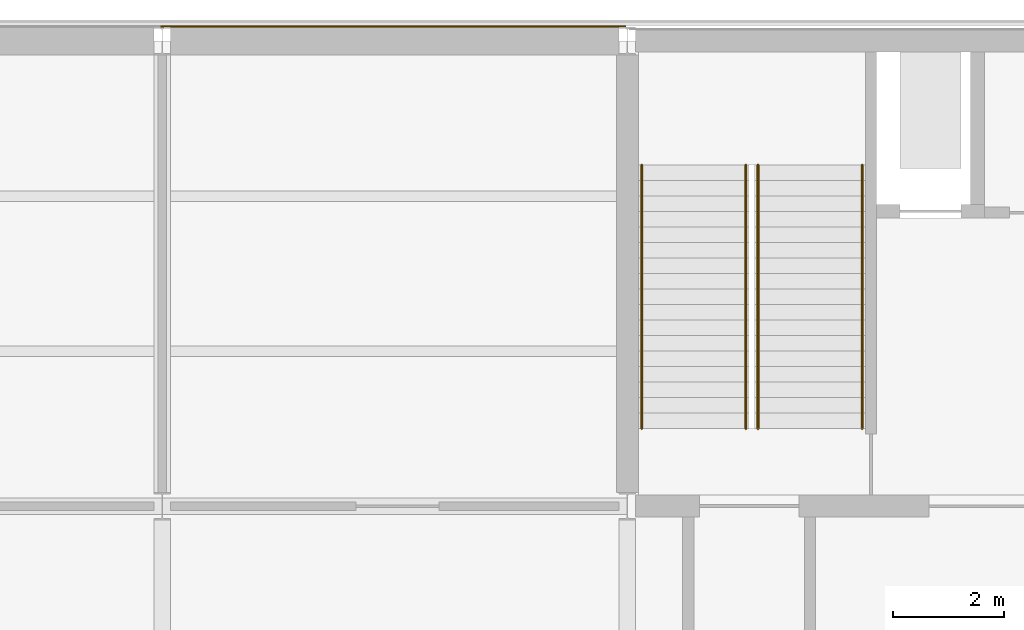
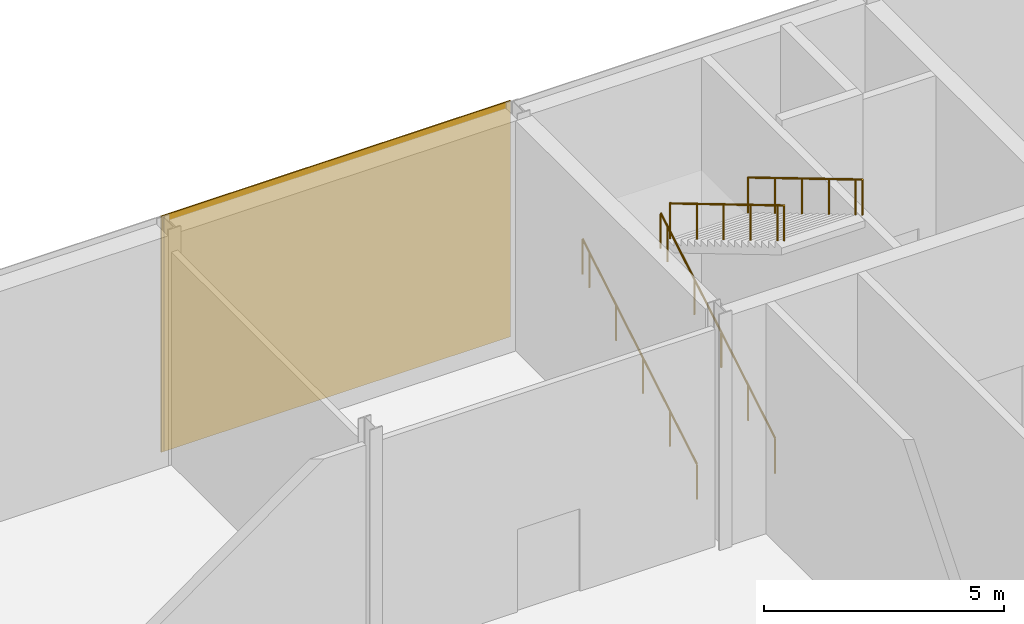
# One storey, part 45 of 55: 4 railings, 2 coverings.
"""IFC4 building model written with IfcOpenShell, lengths in metres."""

from ifc_helpers import new_model, si_unit, direction, frame, origin, origin_2d, place, context, subcontext, project, spatial, rectangle, circle, extrude, material, layer, layer_set, type_object, element, save


model = new_model("IFC4")

# Units and contexts
model_context = context("Model", 3, precision=1e-05, world=origin(), true_north=direction((0.0, 1.0)))
body_context = subcontext(model_context, "Body", "Model", "MODEL_VIEW")
ifc_project = project(units=[si_unit("LENGTHUNIT", "METRE"), si_unit("AREAUNIT", "SQUARE_METRE"), si_unit("VOLUMEUNIT", "CUBIC_METRE"), si_unit("PLANEANGLEUNIT", "RADIAN"), si_unit("MASSUNIT", "GRAM", prefix="KILO")], contexts=[model_context])

# Site, building, storey
site_placement = place(None, origin())
site = spatial("IfcSite", under=ifc_project, at=site_placement, CompositionType="ELEMENT")
building_placement = place(site_placement, origin())
building = spatial("IfcBuilding", under=site, at=building_placement, Name="Galleria Vessillo Department Store", CompositionType="ELEMENT")
storey_placement = place(building_placement, origin())
storey = spatial("IfcBuildingStorey", under=building, at=storey_placement, Name="L00", CompositionType="ELEMENT", Elevation=0.0)

# Coverings
ifc_material_1 = material(Name="Lime plaster (intonaco) ochre")
ifc_layer = layer(ifc_material_1, 0.030029296875)
ifc_layer_set = layer_set([ifc_layer], Name="Lime plaster (intonaco) ochre")
covering_type = type_object("IfcCoveringType", Name="Lime plaster render 30 mm", PredefinedType="CLADDING", material=ifc_layer_set)
covering_1_placement = place(storey_placement, frame((29.39990234375, 63.264892578125, 0.0), z_axis=(0.0, 0.0, 1.0), x_axis=(1.0, 0.0, 0.0)))
element("IfcCovering", 1, at=covering_1_placement, inside=storey, type_object=covering_type, Name="Wall cladding S-PN-L00-03", PredefinedType="CLADDING", context=body_context, shape_type="SweptSolid", body=[
    extrude(rectangle(XDim=8.34033203125, YDim=0.030029296875, at=origin_2d()), origin(), (0.0, 0.0, 1.0), 6.0),
])
covering_2_placement = place(storey_placement, frame((25.199951171875, 63.264892578125, 0.0), z_axis=(0.0, 0.0, 1.0), x_axis=(1.0, 0.0, 0.0)))
element("IfcCovering", 2, at=covering_2_placement, inside=storey, type_object=covering_type, Name="Joint block Wall cladding S-PN-L00-02", PredefinedType="CLADDING", context=body_context, shape_type="SweptSolid", body=[
    extrude(rectangle(XDim=0.059814453125, YDim=0.030029296875, at=origin_2d()), origin(), (0.0, 0.0, 1.0), 6.0),
])

# Railings
ifc_material_2 = material(Name="Stainless steel tube", Category="steel")
railing_type = type_object("IfcRailingType", Name="Stair handrail steel tube 48 mm", PredefinedType="HANDRAIL", material=ifc_material_2)
railing_1_placement = place(storey_placement, frame((33.860107421875, 56.0, 0.166748046875)))
element("IfcRailing", 3, at=railing_1_placement, inside=storey, type_object=railing_type, Name="Handrail ST4 L00 flight 1A", PredefinedType="HANDRAIL", context=body_context, shape_type="SweptSolid", body=[
    extrude(circle(Radius=0.02392578125, at=origin_2d()), frame((0.0, 0.0, 0.89599609375), z_axis=(0.0, 0.859371278866, 0.511352134112), x_axis=(-1.0, 0.0, 0.0)), (0.0, 0.0, 1.0), 1.303466796875),
    extrude(circle(Radius=0.02392578125, at=origin_2d()), frame((0.0, 1.1201171875, 1.5625), z_axis=(0.0, 0.859239953289, 0.511572773584), x_axis=(-1.0, 0.0, 0.0)), (0.0, 0.0, 1.0), 1.30322265625),
    extrude(circle(Radius=0.02392578125, at=origin_2d()), frame((0.0, 2.239990234375, 2.22900390625), z_axis=(0.0, 0.859288964532, 0.511490445104), x_axis=(-1.0, 0.0, 0.0)), (0.0, 0.0, 1.0), 1.303466796875),
    extrude(circle(Radius=0.02392578125, at=origin_2d()), frame((0.0, 3.360107421875, 2.89599609375), z_axis=(0.0, 0.85932228943, 0.511434456103), x_axis=(-1.0, 0.0, 0.0)), (0.0, 0.0, 1.0), 1.30322265625),
    extrude(circle(Radius=0.02392578125, at=origin_2d()), frame((0.0, 4.47998046875, 3.5625), z_axis=(0.0, 0.859206643714, 0.511628716353), x_axis=(-1.0, 0.0, 0.0)), (0.0, 0.0, 1.0), 0.325927734375),
    extrude(circle(Radius=0.02099609375, at=origin_2d()), origin(), (0.0, 0.0, 1.0), 0.871826171875),
    extrude(circle(Radius=0.02099609375, at=origin_2d()), frame((0.0, 1.1201171875, 0.66650390625)), (0.0, 0.0, 1.0), 0.871826171875),
    extrude(circle(Radius=0.02099609375, at=origin_2d()), frame((0.0, 2.239990234375, 1.333251953125)), (0.0, 0.0, 1.0), 0.871826171875),
    extrude(circle(Radius=0.02099609375, at=origin_2d()), frame((0.0, 3.360107421875, 2.0)), (0.0, 0.0, 1.0), 0.871826171875),
    extrude(circle(Radius=0.02099609375, at=origin_2d()), frame((0.0, 4.47998046875, 2.66650390625)), (0.0, 0.0, 1.0), 0.871826171875),
    extrude(circle(Radius=0.02099609375, at=origin_2d()), frame((0.0, 4.760009765625, 2.833251953125)), (0.0, 0.0, 1.0), 0.871826171875),
])
railing_2_placement = place(storey_placement, frame((35.739990234375, 56.0, 0.166748046875)))
element("IfcRailing", 4, at=railing_2_placement, inside=storey, type_object=railing_type, Name="Handrail ST4 L00 flight 1B", PredefinedType="HANDRAIL", context=body_context, shape_type="SweptSolid", body=[
    extrude(circle(Radius=0.02392578125, at=origin_2d()), frame((0.0, 0.0, 0.89599609375), z_axis=(0.0, 0.859371278866, 0.511352134112), x_axis=(-1.0, 0.0, 0.0)), (0.0, 0.0, 1.0), 1.303466796875),
    extrude(circle(Radius=0.02392578125, at=origin_2d()), frame((0.0, 1.1201171875, 1.5625), z_axis=(0.0, 0.859239953289, 0.511572773584), x_axis=(-1.0, 0.0, 0.0)), (0.0, 0.0, 1.0), 1.30322265625),
    extrude(circle(Radius=0.02392578125, at=origin_2d()), frame((0.0, 2.239990234375, 2.22900390625), z_axis=(0.0, 0.859288964532, 0.511490445104), x_axis=(-1.0, 0.0, 0.0)), (0.0, 0.0, 1.0), 1.303466796875),
    extrude(circle(Radius=0.02392578125, at=origin_2d()), frame((0.0, 3.360107421875, 2.89599609375), z_axis=(0.0, 0.85932228943, 0.511434456103), x_axis=(-1.0, 0.0, 0.0)), (0.0, 0.0, 1.0), 1.30322265625),
    extrude(circle(Radius=0.02392578125, at=origin_2d()), frame((0.0, 4.47998046875, 3.5625), z_axis=(0.0, 0.859206643714, 0.511628716353), x_axis=(-1.0, 0.0, 0.0)), (0.0, 0.0, 1.0), 0.325927734375),
    extrude(circle(Radius=0.02099609375, at=origin_2d()), origin(), (0.0, 0.0, 1.0), 0.871826171875),
    extrude(circle(Radius=0.02099609375, at=origin_2d()), frame((0.0, 1.1201171875, 0.66650390625)), (0.0, 0.0, 1.0), 0.871826171875),
    extrude(circle(Radius=0.02099609375, at=origin_2d()), frame((0.0, 2.239990234375, 1.333251953125)), (0.0, 0.0, 1.0), 0.871826171875),
    extrude(circle(Radius=0.02099609375, at=origin_2d()), frame((0.0, 3.360107421875, 2.0)), (0.0, 0.0, 1.0), 0.871826171875),
    extrude(circle(Radius=0.02099609375, at=origin_2d()), frame((0.0, 4.47998046875, 2.66650390625)), (0.0, 0.0, 1.0), 0.871826171875),
    extrude(circle(Radius=0.02099609375, at=origin_2d()), frame((0.0, 4.760009765625, 2.833251953125)), (0.0, 0.0, 1.0), 0.871826171875),
])
railing_3_placement = place(storey_placement, frame((37.83984375, 60.760009765625, 3.166748046875)))
element("IfcRailing", 5, at=railing_3_placement, inside=storey, type_object=railing_type, Name="Handrail ST4 L00 flight 2A", PredefinedType="HANDRAIL", context=body_context, shape_type="SweptSolid", body=[
    extrude(circle(Radius=0.02392578125, at=origin_2d()), frame((0.0, 0.0, 0.89599609375), z_axis=(0.0, -0.859371278866, 0.511352134112), x_axis=(1.0, 0.0, 0.0)), (0.0, 0.0, 1.0), 1.303466796875),
    extrude(circle(Radius=0.02392578125, at=origin_2d()), frame((0.0, -1.1201171875, 1.5625), z_axis=(0.0, -0.859239953289, 0.511572773584), x_axis=(1.0, 0.0, 0.0)), (0.0, 0.0, 1.0), 1.30322265625),
    extrude(circle(Radius=0.02392578125, at=origin_2d()), frame((0.0, -2.239990234375, 2.22900390625), z_axis=(0.0, -0.859288964532, 0.511490445104), x_axis=(1.0, 0.0, 0.0)), (0.0, 0.0, 1.0), 1.303466796875),
    extrude(circle(Radius=0.02392578125, at=origin_2d()), frame((0.0, -3.360107421875, 2.89599609375), z_axis=(0.0, -0.85932228943, 0.511434456103), x_axis=(1.0, 0.0, 0.0)), (0.0, 0.0, 1.0), 1.30322265625),
    extrude(circle(Radius=0.02392578125, at=origin_2d()), frame((0.0, -4.47998046875, 3.5625), z_axis=(0.0, -0.859206643714, 0.511628716353), x_axis=(1.0, 0.0, 0.0)), (0.0, 0.0, 1.0), 0.325927734375),
    extrude(circle(Radius=0.02099609375, at=origin_2d()), origin(), (0.0, 0.0, 1.0), 0.871826171875),
    extrude(circle(Radius=0.02099609375, at=origin_2d()), frame((0.0, -1.1201171875, 0.66650390625)), (0.0, 0.0, 1.0), 0.871826171875),
    extrude(circle(Radius=0.02099609375, at=origin_2d()), frame((0.0, -2.239990234375, 1.333251953125)), (0.0, 0.0, 1.0), 0.871826171875),
    extrude(circle(Radius=0.02099609375, at=origin_2d()), frame((0.0, -3.360107421875, 2.0)), (0.0, 0.0, 1.0), 0.871826171875),
    extrude(circle(Radius=0.02099609375, at=origin_2d()), frame((0.0, -4.47998046875, 2.66650390625)), (0.0, 0.0, 1.0), 0.871826171875),
    extrude(circle(Radius=0.02099609375, at=origin_2d()), frame((0.0, -4.760009765625, 2.833251953125)), (0.0, 0.0, 1.0), 0.871826171875),
])
railing_4_placement = place(storey_placement, frame((35.9599609375, 60.760009765625, 3.166748046875)))
element("IfcRailing", 6, at=railing_4_placement, inside=storey, type_object=railing_type, Name="Handrail ST4 L00 flight 2B", PredefinedType="HANDRAIL", context=body_context, shape_type="SweptSolid", body=[
    extrude(circle(Radius=0.02392578125, at=origin_2d()), frame((0.0, 0.0, 0.89599609375), z_axis=(0.0, -0.859371278866, 0.511352134112), x_axis=(1.0, 0.0, 0.0)), (0.0, 0.0, 1.0), 1.303466796875),
    extrude(circle(Radius=0.02392578125, at=origin_2d()), frame((0.0, -1.1201171875, 1.5625), z_axis=(0.0, -0.859239953289, 0.511572773584), x_axis=(1.0, 0.0, 0.0)), (0.0, 0.0, 1.0), 1.30322265625),
    extrude(circle(Radius=0.02392578125, at=origin_2d()), frame((0.0, -2.239990234375, 2.22900390625), z_axis=(0.0, -0.859288964532, 0.511490445104), x_axis=(1.0, 0.0, 0.0)), (0.0, 0.0, 1.0), 1.303466796875),
    extrude(circle(Radius=0.02392578125, at=origin_2d()), frame((0.0, -3.360107421875, 2.89599609375), z_axis=(0.0, -0.85932228943, 0.511434456103), x_axis=(1.0, 0.0, 0.0)), (0.0, 0.0, 1.0), 1.30322265625),
    extrude(circle(Radius=0.02392578125, at=origin_2d()), frame((0.0, -4.47998046875, 3.5625), z_axis=(0.0, -0.859206643714, 0.511628716353), x_axis=(1.0, 0.0, 0.0)), (0.0, 0.0, 1.0), 0.325927734375),
    extrude(circle(Radius=0.02099609375, at=origin_2d()), origin(), (0.0, 0.0, 1.0), 0.871826171875),
    extrude(circle(Radius=0.02099609375, at=origin_2d()), frame((0.0, -1.1201171875, 0.66650390625)), (0.0, 0.0, 1.0), 0.871826171875),
    extrude(circle(Radius=0.02099609375, at=origin_2d()), frame((0.0, -2.239990234375, 1.333251953125)), (0.0, 0.0, 1.0), 0.871826171875),
    extrude(circle(Radius=0.02099609375, at=origin_2d()), frame((0.0, -3.360107421875, 2.0)), (0.0, 0.0, 1.0), 0.871826171875),
    extrude(circle(Radius=0.02099609375, at=origin_2d()), frame((0.0, -4.47998046875, 2.66650390625)), (0.0, 0.0, 1.0), 0.871826171875),
    extrude(circle(Radius=0.02099609375, at=origin_2d()), frame((0.0, -4.760009765625, 2.833251953125)), (0.0, 0.0, 1.0), 0.871826171875),
])

save(model, "model.ifc")
